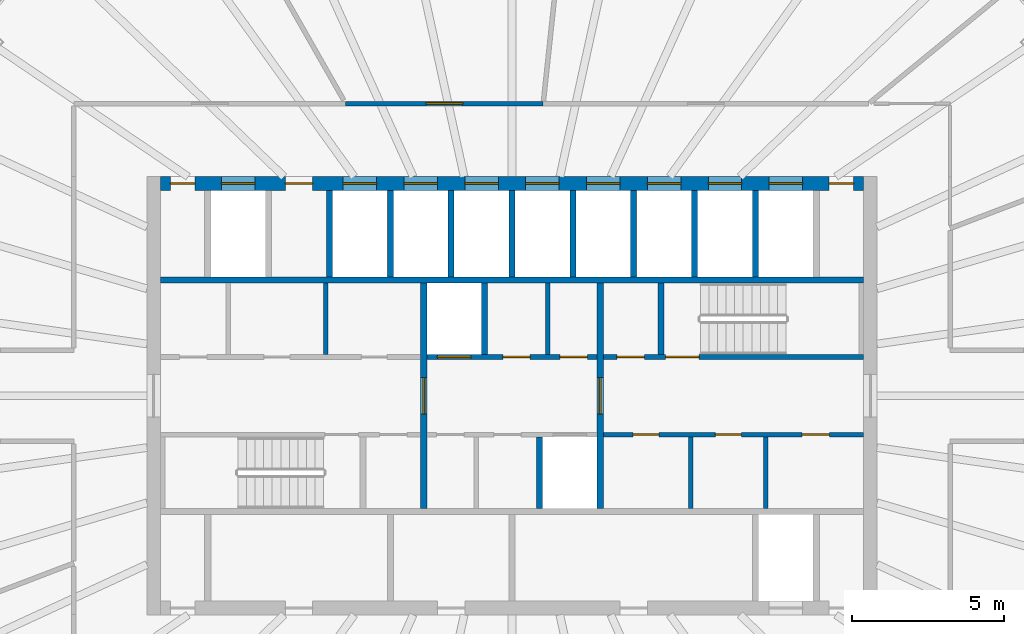
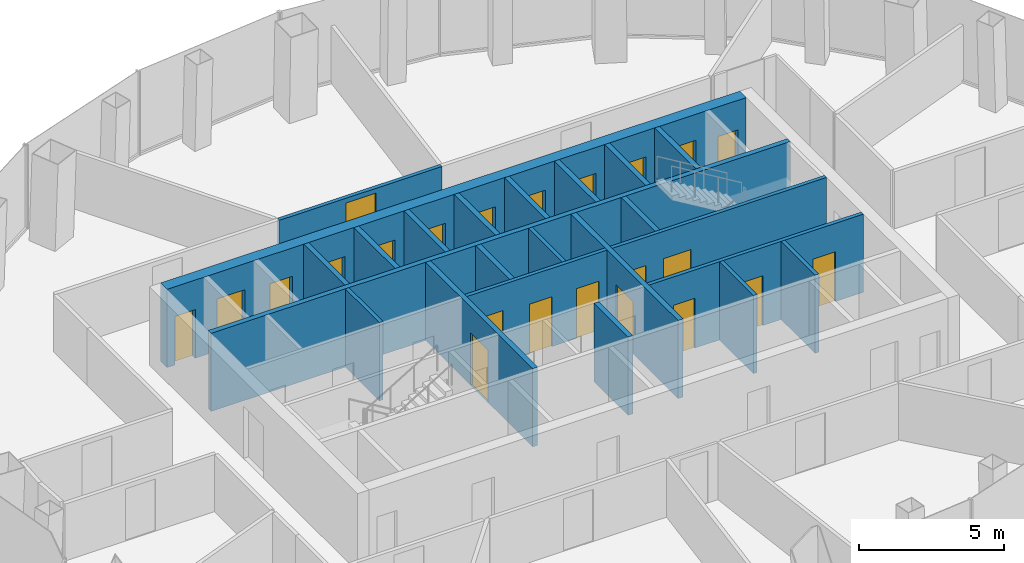
# One storey, part 9 of 11: 23 doors, 23 walls, 23 openings.
"""IFC4 building model written with IfcOpenShell, lengths in metres."""

from ifc_helpers import new_model, si_unit, direction, frame, frame_2d, origin, place, context, subcontext, project, spatial, rectangle, extrude, material, layer, layer_set, type_object, element, fill, save


model = new_model("IFC4")

# Units and contexts
model_context = context("Model", 3, precision=1e-05, world=origin(), true_north=direction((0.0, 1.0)))
body_context = subcontext(model_context, "Body", "Model", "MODEL_VIEW")
ifc_project = project(units=[si_unit("LENGTHUNIT", "METRE"), si_unit("AREAUNIT", "SQUARE_METRE"), si_unit("VOLUMEUNIT", "CUBIC_METRE"), si_unit("PLANEANGLEUNIT", "RADIAN"), si_unit("MASSUNIT", "GRAM", prefix="KILO")], contexts=[model_context])

# Site, building, storey
site_placement = place(None, origin())
site = spatial("IfcSite", under=ifc_project, at=site_placement, CompositionType="ELEMENT")
building_placement = place(site_placement, origin())
building = spatial("IfcBuilding", under=site, at=building_placement, Name="Siaravel Broadcast Tower", CompositionType="ELEMENT")
storey_placement = place(building_placement, frame((0.0, 0.0, 183.0)))
storey = spatial("IfcBuildingStorey", under=building, at=storey_placement, Name="L44", CompositionType="ELEMENT", Elevation=183.0)

# Walls
ifc_material_1 = material(Name="Concrete blockwork", Category="masonry")
ifc_layer_1 = layer(ifc_material_1, 0.14990234375)
ifc_layer_set_1 = layer_set([ifc_layer_1], Name="Concrete blockwork")
wall_type_1 = type_object("IfcWallType", Name="Core partition 150", PredefinedType="PARTITIONING", material=ifc_layer_set_1)
for number, where, z_axis, x_axis, name in (
    (1, (-6.12744140625, 1.35009765625, 0.0), (0.0, 0.0, 1.0), (0.0, 1.0, 0.0), "L44 core partition PNW1"),
    (2, (5.8798828125, -3.699951171875, 0.0), (0.0, 0.0, 1.0), (0.0, 1.0, 0.0), "L44 core partition PSE0"),
    (3, (8.340087890625, -3.699951171875, 0.0), (0.0, 0.0, 1.0), (0.0, 1.0, 0.0), "L44 core partition PSE1"),
    (4, (1.172607421875, 1.35009765625, 0.0), (0.0, 0.0, 1.0), (0.0, 1.0, 0.0), "L44 core partition PNM0"),
):
    element("IfcWall", number, at=place(storey_placement, frame(where, z_axis=z_axis, x_axis=x_axis)), inside=storey, type_object=wall_type_1, Name=name, PredefinedType="PARTITIONING", context=body_context, shape_type="SweptSolid", body=[
        extrude(rectangle(XDim=2.349853515625, YDim=0.14990234375, at=frame_2d((1.1748046875, 0.0))), origin(), (0.0, 0.0, 1.0), 3.300048828125),
    ])

# Wall, openings, doors
ifc_material_2 = material(Name="Concrete C60/75", Category="concrete")
ifc_layer_2 = layer(ifc_material_2, 0.449951171875)
ifc_layer_set_2 = layer_set([ifc_layer_2], Name="Concrete C60/75")
wall_type_2 = type_object("IfcWallType", Name="Core wall 450", PredefinedType="SHEAR", material=ifc_layer_set_2)
wall_1_placement = place(storey_placement, frame((-11.550048828125, 6.97509765625, 0.0), z_axis=(0.0, 0.0, 1.0), x_axis=(1.0, 0.0, 0.0)))
wall_1 = element("IfcWall", 5, at=wall_1_placement, inside=storey, type_object=wall_type_2, Name="L44 core wall ON", PredefinedType="SHEAR", context=body_context, shape_type="SweptSolid", body=[
    extrude(rectangle(XDim=23.10009765625, YDim=0.449951171875, at=frame_2d((11.550048828125, 0.0))), origin(), (0.0, 0.0, 1.0), 3.300048828125),
])
opening_1_placement = place(wall_1_placement, frame((2.0, 0.0, 0.0)))
opening_1 = element("IfcOpeningElement", 6, at=opening_1_placement, cuts=wall_1, Name="Opening LD-SV2-L44", PredefinedType="OPENING", context=body_context, shape_type="SweptSolid", body=[
    extrude(rectangle(XDim=1.10009765625, YDim=2.199951171875, at=frame_2d((0.550048828125, 1.10009765625))), frame((0.0, 0.23486328125, 0.0), z_axis=(0.0, -1.0, 0.0), x_axis=(1.0, 0.0, 0.0)), (0.0, 0.0, 1.0), 0.469970703125),
])
opening_2_placement = place(wall_1_placement, frame((6.0, 0.0, 0.0)))
opening_2 = element("IfcOpeningElement", 7, at=opening_2_placement, cuts=wall_1, Name="Opening LD-HP1-L44", PredefinedType="OPENING", context=body_context, shape_type="SweptSolid", body=[
    extrude(rectangle(XDim=1.10009765625, YDim=2.199951171875, at=frame_2d((0.550048828125, 1.10009765625))), frame((0.0, 0.23486328125, 0.0), z_axis=(0.0, -1.0, 0.0), x_axis=(1.0, 0.0, 0.0)), (0.0, 0.0, 1.0), 0.469970703125),
])
opening_3_placement = place(wall_1_placement, frame((8.0, 0.0, 0.0)))
opening_3 = element("IfcOpeningElement", 8, at=opening_3_placement, cuts=wall_1, Name="Opening LD-HP2-L44", PredefinedType="OPENING", context=body_context, shape_type="SweptSolid", body=[
    extrude(rectangle(XDim=1.10009765625, YDim=2.199951171875, at=frame_2d((0.550048828125, 1.10009765625))), frame((0.0, 0.23486328125, 0.0), z_axis=(0.0, -1.0, 0.0), x_axis=(1.0, 0.0, 0.0)), (0.0, 0.0, 1.0), 0.469970703125),
])
opening_4_placement = place(wall_1_placement, frame((10.0, 0.0, 0.0)))
opening_4 = element("IfcOpeningElement", 9, at=opening_4_placement, cuts=wall_1, Name="Opening LD-HP3-L44", PredefinedType="OPENING", context=body_context, shape_type="SweptSolid", body=[
    extrude(rectangle(XDim=1.10009765625, YDim=2.199951171875, at=frame_2d((0.550048828125, 1.10009765625))), frame((0.0, 0.23486328125, 0.0), z_axis=(0.0, -1.0, 0.0), x_axis=(1.0, 0.0, 0.0)), (0.0, 0.0, 1.0), 0.469970703125),
])
opening_5_placement = place(wall_1_placement, frame((12.0, 0.0, 0.0)))
opening_5 = element("IfcOpeningElement", 10, at=opening_5_placement, cuts=wall_1, Name="Opening LD-HP4-L44", PredefinedType="OPENING", context=body_context, shape_type="SweptSolid", body=[
    extrude(rectangle(XDim=1.10009765625, YDim=2.199951171875, at=frame_2d((0.550048828125, 1.10009765625))), frame((0.0, 0.23486328125, 0.0), z_axis=(0.0, -1.0, 0.0), x_axis=(1.0, 0.0, 0.0)), (0.0, 0.0, 1.0), 0.469970703125),
])
opening_6_placement = place(wall_1_placement, frame((14.0, 0.0, 0.0)))
opening_6 = element("IfcOpeningElement", 11, at=opening_6_placement, cuts=wall_1, Name="Opening LD-HP5-L44", PredefinedType="OPENING", context=body_context, shape_type="SweptSolid", body=[
    extrude(rectangle(XDim=1.10009765625, YDim=2.199951171875, at=frame_2d((0.550048828125, 1.10009765625))), frame((0.0, 0.23486328125, 0.0), z_axis=(0.0, -1.0, 0.0), x_axis=(1.0, 0.0, 0.0)), (0.0, 0.0, 1.0), 0.469970703125),
])
opening_7_placement = place(wall_1_placement, frame((16.0, 0.0, 0.0)))
opening_7 = element("IfcOpeningElement", 12, at=opening_7_placement, cuts=wall_1, Name="Opening LD-HP6-L44", PredefinedType="OPENING", context=body_context, shape_type="SweptSolid", body=[
    extrude(rectangle(XDim=1.10009765625, YDim=2.199951171875, at=frame_2d((0.550048828125, 1.10009765625))), frame((0.0, 0.23486328125, 0.0), z_axis=(0.0, -1.0, 0.0), x_axis=(1.0, 0.0, 0.0)), (0.0, 0.0, 1.0), 0.469970703125),
])
opening_8_placement = place(wall_1_placement, frame((18.0, 0.0, 0.0)))
opening_8 = element("IfcOpeningElement", 13, at=opening_8_placement, cuts=wall_1, Name="Opening LD-HP7-L44", PredefinedType="OPENING", context=body_context, shape_type="SweptSolid", body=[
    extrude(rectangle(XDim=1.10009765625, YDim=2.199951171875, at=frame_2d((0.550048828125, 1.10009765625))), frame((0.0, 0.23486328125, 0.0), z_axis=(0.0, -1.0, 0.0), x_axis=(1.0, 0.0, 0.0)), (0.0, 0.0, 1.0), 0.469970703125),
])
opening_9_placement = place(wall_1_placement, frame((20.0, 0.0, 0.0)))
opening_9 = element("IfcOpeningElement", 14, at=opening_9_placement, cuts=wall_1, Name="Opening LD-HP8-L44", PredefinedType="OPENING", context=body_context, shape_type="SweptSolid", body=[
    extrude(rectangle(XDim=1.10009765625, YDim=2.199951171875, at=frame_2d((0.550048828125, 1.10009765625))), frame((0.0, 0.23486328125, 0.0), z_axis=(0.0, -1.0, 0.0), x_axis=(1.0, 0.0, 0.0)), (0.0, 0.0, 1.0), 0.469970703125),
])
opening_10_placement = place(wall_1_placement, frame((4.10009765625, 0.0, 0.0)))
opening_10 = element("IfcOpeningElement", 15, at=opening_10_placement, cuts=wall_1, Name="Opening L44-DFN1", PredefinedType="OPENING", context=body_context, shape_type="SweptSolid", body=[
    extrude(rectangle(XDim=0.89990234375, YDim=2.10009765625, at=frame_2d((0.449951171875, 1.050048828125))), frame((0.0, 0.23486328125, 0.0), z_axis=(0.0, -1.0, 0.0), x_axis=(1.0, 0.0, 0.0)), (0.0, 0.0, 1.0), 0.469970703125),
])
opening_11_placement = place(wall_1_placement, frame((0.324951171875, 0.0, 0.0)))
opening_11 = element("IfcOpeningElement", 16, at=opening_11_placement, cuts=wall_1, Name="Opening L44-DRNW", PredefinedType="OPENING", context=body_context, shape_type="SweptSolid", body=[
    extrude(rectangle(XDim=0.800048828125, YDim=2.050048828125, at=frame_2d((0.39990234375, 1.02490234375))), frame((0.0, 0.23486328125, 0.0), z_axis=(0.0, -1.0, 0.0), x_axis=(1.0, 0.0, 0.0)), (0.0, 0.0, 1.0), 0.469970703125),
])
opening_12_placement = place(wall_1_placement, frame((21.97509765625, 0.0, 0.0)))
opening_12 = element("IfcOpeningElement", 17, at=opening_12_placement, cuts=wall_1, Name="Opening L44-DRNE", PredefinedType="OPENING", context=body_context, shape_type="SweptSolid", body=[
    extrude(rectangle(XDim=0.800048828125, YDim=2.050048828125, at=frame_2d((0.39990234375, 1.02490234375))), frame((0.0, 0.23486328125, 0.0), z_axis=(0.0, -1.0, 0.0), x_axis=(1.0, 0.0, 0.0)), (0.0, 0.0, 1.0), 0.469970703125),
])
ifc_material_3 = material(Name="Timber veneer", Category="wood")
door_type_1 = type_object("IfcDoorType", Name="Core room door 900", OperationType="SINGLE_SWING_LEFT", PredefinedType="DOOR", material=ifc_material_3)
door_1_placement = place(opening_10_placement, origin())
door_1 = element("IfcDoor", 18, at=door_1_placement, inside=storey, type_object=door_type_1, Name="L44 door DFN1", OperationType="SINGLE_SWING_LEFT", OverallHeight=2.10009765625, OverallWidth=0.89990234375, PredefinedType="DOOR", context=body_context, shape_type="SweptSolid", body=[
    extrude(rectangle(XDim=0.89990234375, YDim=2.10009765625, at=frame_2d((0.449951171875, 1.050048828125))), frame((0.0, 0.02490234375, 0.0), z_axis=(0.0, -1.0, 0.0), x_axis=(1.0, 0.0, 0.0)), (0.0, 0.0, 1.0), 0.050048828125),
])
fill(opening_10, door_1)
ifc_material_4 = material(Name="Stainless steel 316L", Category="steel")
door_type_2 = type_object("IfcDoorType", Name="Lift landing door 1100", OperationType="DOUBLE_DOOR_SLIDING", PredefinedType="DOOR", material=ifc_material_4)
door_2_placement = place(opening_2_placement, origin())
door_2 = element("IfcDoor", 19, at=door_2_placement, inside=storey, type_object=door_type_2, Name="Landing door HP1 L44", OperationType="DOUBLE_DOOR_SLIDING", OverallHeight=2.199951171875, OverallWidth=1.10009765625, PredefinedType="DOOR", context=body_context, shape_type="SweptSolid", body=[
    extrude(rectangle(XDim=1.10009765625, YDim=2.199951171875, at=frame_2d((0.550048828125, 1.10009765625))), frame((0.0, 0.02490234375, 0.0), z_axis=(0.0, -1.0, 0.0), x_axis=(1.0, 0.0, 0.0)), (0.0, 0.0, 1.0), 0.050048828125),
])
fill(opening_2, door_2)
door_3_placement = place(opening_3_placement, origin())
door_3 = element("IfcDoor", 20, at=door_3_placement, inside=storey, type_object=door_type_2, Name="Landing door HP2 L44", OperationType="DOUBLE_DOOR_SLIDING", OverallHeight=2.199951171875, OverallWidth=1.10009765625, PredefinedType="DOOR", context=body_context, shape_type="SweptSolid", body=[
    extrude(rectangle(XDim=1.10009765625, YDim=2.199951171875, at=frame_2d((0.550048828125, 1.10009765625))), frame((0.0, 0.02490234375, 0.0), z_axis=(0.0, -1.0, 0.0), x_axis=(1.0, 0.0, 0.0)), (0.0, 0.0, 1.0), 0.050048828125),
])
fill(opening_3, door_3)
door_4_placement = place(opening_4_placement, origin())
door_4 = element("IfcDoor", 21, at=door_4_placement, inside=storey, type_object=door_type_2, Name="Landing door HP3 L44", OperationType="DOUBLE_DOOR_SLIDING", OverallHeight=2.199951171875, OverallWidth=1.10009765625, PredefinedType="DOOR", context=body_context, shape_type="SweptSolid", body=[
    extrude(rectangle(XDim=1.10009765625, YDim=2.199951171875, at=frame_2d((0.550048828125, 1.10009765625))), frame((0.0, 0.02490234375, 0.0), z_axis=(0.0, -1.0, 0.0), x_axis=(1.0, 0.0, 0.0)), (0.0, 0.0, 1.0), 0.050048828125),
])
fill(opening_4, door_4)
door_5_placement = place(opening_5_placement, origin())
door_5 = element("IfcDoor", 22, at=door_5_placement, inside=storey, type_object=door_type_2, Name="Landing door HP4 L44", OperationType="DOUBLE_DOOR_SLIDING", OverallHeight=2.199951171875, OverallWidth=1.10009765625, PredefinedType="DOOR", context=body_context, shape_type="SweptSolid", body=[
    extrude(rectangle(XDim=1.10009765625, YDim=2.199951171875, at=frame_2d((0.550048828125, 1.10009765625))), frame((0.0, 0.02490234375, 0.0), z_axis=(0.0, -1.0, 0.0), x_axis=(1.0, 0.0, 0.0)), (0.0, 0.0, 1.0), 0.050048828125),
])
fill(opening_5, door_5)
door_6_placement = place(opening_6_placement, origin())
door_6 = element("IfcDoor", 23, at=door_6_placement, inside=storey, type_object=door_type_2, Name="Landing door HP5 L44", OperationType="DOUBLE_DOOR_SLIDING", OverallHeight=2.199951171875, OverallWidth=1.10009765625, PredefinedType="DOOR", context=body_context, shape_type="SweptSolid", body=[
    extrude(rectangle(XDim=1.10009765625, YDim=2.199951171875, at=frame_2d((0.550048828125, 1.10009765625))), frame((0.0, 0.02490234375, 0.0), z_axis=(0.0, -1.0, 0.0), x_axis=(1.0, 0.0, 0.0)), (0.0, 0.0, 1.0), 0.050048828125),
])
fill(opening_6, door_6)
door_7_placement = place(opening_7_placement, origin())
door_7 = element("IfcDoor", 24, at=door_7_placement, inside=storey, type_object=door_type_2, Name="Landing door HP6 L44", OperationType="DOUBLE_DOOR_SLIDING", OverallHeight=2.199951171875, OverallWidth=1.10009765625, PredefinedType="DOOR", context=body_context, shape_type="SweptSolid", body=[
    extrude(rectangle(XDim=1.10009765625, YDim=2.199951171875, at=frame_2d((0.550048828125, 1.10009765625))), frame((0.0, 0.02490234375, 0.0), z_axis=(0.0, -1.0, 0.0), x_axis=(1.0, 0.0, 0.0)), (0.0, 0.0, 1.0), 0.050048828125),
])
fill(opening_7, door_7)
door_8_placement = place(opening_8_placement, origin())
door_8 = element("IfcDoor", 25, at=door_8_placement, inside=storey, type_object=door_type_2, Name="Landing door HP7 L44", OperationType="DOUBLE_DOOR_SLIDING", OverallHeight=2.199951171875, OverallWidth=1.10009765625, PredefinedType="DOOR", context=body_context, shape_type="SweptSolid", body=[
    extrude(rectangle(XDim=1.10009765625, YDim=2.199951171875, at=frame_2d((0.550048828125, 1.10009765625))), frame((0.0, 0.02490234375, 0.0), z_axis=(0.0, -1.0, 0.0), x_axis=(1.0, 0.0, 0.0)), (0.0, 0.0, 1.0), 0.050048828125),
])
fill(opening_8, door_8)
door_9_placement = place(opening_9_placement, origin())
door_9 = element("IfcDoor", 26, at=door_9_placement, inside=storey, type_object=door_type_2, Name="Landing door HP8 L44", OperationType="DOUBLE_DOOR_SLIDING", OverallHeight=2.199951171875, OverallWidth=1.10009765625, PredefinedType="DOOR", context=body_context, shape_type="SweptSolid", body=[
    extrude(rectangle(XDim=1.10009765625, YDim=2.199951171875, at=frame_2d((0.550048828125, 1.10009765625))), frame((0.0, 0.02490234375, 0.0), z_axis=(0.0, -1.0, 0.0), x_axis=(1.0, 0.0, 0.0)), (0.0, 0.0, 1.0), 0.050048828125),
])
fill(opening_9, door_9)
ifc_material_5 = material(Name="Steel", Category="steel")
door_type_3 = type_object("IfcDoorType", Name="Riser door 800", OperationType="SINGLE_SWING_LEFT", PredefinedType="DOOR", material=ifc_material_5)
door_10_placement = place(opening_11_placement, origin())
door_10 = element("IfcDoor", 27, at=door_10_placement, inside=storey, type_object=door_type_3, Name="L44 door DRNW", OperationType="SINGLE_SWING_LEFT", OverallHeight=2.050048828125, OverallWidth=0.800048828125, PredefinedType="DOOR", context=body_context, shape_type="SweptSolid", body=[
    extrude(rectangle(XDim=0.800048828125, YDim=2.050048828125, at=frame_2d((0.39990234375, 1.02490234375))), frame((0.0, 0.02490234375, 0.0), z_axis=(0.0, -1.0, 0.0), x_axis=(1.0, 0.0, 0.0)), (0.0, 0.0, 1.0), 0.050048828125),
])
fill(opening_11, door_10)
door_11_placement = place(opening_12_placement, origin())
door_11 = element("IfcDoor", 28, at=door_11_placement, inside=storey, type_object=door_type_3, Name="L44 door DRNE", OperationType="SINGLE_SWING_LEFT", OverallHeight=2.050048828125, OverallWidth=0.800048828125, PredefinedType="DOOR", context=body_context, shape_type="SweptSolid", body=[
    extrude(rectangle(XDim=0.800048828125, YDim=2.050048828125, at=frame_2d((0.39990234375, 1.02490234375))), frame((0.0, 0.02490234375, 0.0), z_axis=(0.0, -1.0, 0.0), x_axis=(1.0, 0.0, 0.0)), (0.0, 0.0, 1.0), 0.050048828125),
])
fill(opening_12, door_11)
door_type_4 = type_object("IfcDoorType", Name="Service lift landing door 1100", OperationType="DOUBLE_DOOR_SLIDING", PredefinedType="DOOR", material=ifc_material_4)
door_12_placement = place(opening_1_placement, origin())
door_12 = element("IfcDoor", 29, at=door_12_placement, inside=storey, type_object=door_type_4, Name="Landing door SV2 L44", OperationType="DOUBLE_DOOR_SLIDING", OverallHeight=2.199951171875, OverallWidth=1.10009765625, PredefinedType="DOOR", context=body_context, shape_type="SweptSolid", body=[
    extrude(rectangle(XDim=1.10009765625, YDim=2.199951171875, at=frame_2d((0.550048828125, 1.10009765625))), frame((0.0, 0.02490234375, 0.0), z_axis=(0.0, -1.0, 0.0), x_axis=(1.0, 0.0, 0.0)), (0.0, 0.0, 1.0), 0.050048828125),
])
fill(opening_1, door_12)

ifc_material_6 = material(Name="Gypsum board partition", Category="gypsum")
ifc_layer_3 = layer(ifc_material_6, 0.14990234375)
ifc_layer_set_3 = layer_set([ifc_layer_3], Name="Gypsum board partition")
wall_type_3 = type_object("IfcWallType", Name="Corridor wall 150", PredefinedType="PARTITIONING", material=ifc_layer_set_3)
wall_2_placement = place(storey_placement, frame((3.0, -1.27490234375, 0.0), z_axis=(0.0, 0.0, 1.0), x_axis=(1.0, 0.0, 0.0)))
wall_2 = element("IfcWall", 30, at=wall_2_placement, inside=storey, type_object=wall_type_3, Name="L44 core partition CSE", PredefinedType="PARTITIONING", context=body_context, shape_type="SweptSolid", body=[
    extrude(rectangle(XDim=8.550048828125, YDim=0.14990234375, at=frame_2d((4.27490234375, 0.0))), origin(), (0.0, 0.0, 1.0), 3.300048828125),
])
opening_13_placement = place(wall_2_placement, frame((0.9775390625, 0.0, 0.0)))
opening_13 = element("IfcOpeningElement", 31, at=opening_13_placement, cuts=wall_2, Name="Opening L44-DSE0", PredefinedType="OPENING", context=body_context, shape_type="SweptSolid", body=[
    extrude(rectangle(XDim=0.85009765625, YDim=2.10009765625, at=frame_2d((0.425048828125, 1.050048828125))), frame((0.0, 0.0849609375, 0.0), z_axis=(0.0, -1.0, 0.0), x_axis=(1.0, 0.0, 0.0)), (0.0, 0.0, 1.0), 0.169921875),
])
opening_14_placement = place(wall_2_placement, frame((3.68505859375, 0.0, 0.0)))
opening_14 = element("IfcOpeningElement", 32, at=opening_14_placement, cuts=wall_2, Name="Opening L44-DSE1", PredefinedType="OPENING", context=body_context, shape_type="SweptSolid", body=[
    extrude(rectangle(XDim=0.85009765625, YDim=2.10009765625, at=frame_2d((0.425048828125, 1.050048828125))), frame((0.0, 0.0849609375, 0.0), z_axis=(0.0, -1.0, 0.0), x_axis=(1.0, 0.0, 0.0)), (0.0, 0.0, 1.0), 0.169921875),
])
opening_15_placement = place(wall_2_placement, frame((6.532470703125, 0.0, 0.0)))
opening_15 = element("IfcOpeningElement", 33, at=opening_15_placement, cuts=wall_2, Name="Opening L44-DSE2", PredefinedType="OPENING", context=body_context, shape_type="SweptSolid", body=[
    extrude(rectangle(XDim=0.89990234375, YDim=2.10009765625, at=frame_2d((0.449951171875, 1.050048828125))), frame((0.0, 0.0849609375, 0.0), z_axis=(0.0, -1.0, 0.0), x_axis=(1.0, 0.0, 0.0)), (0.0, 0.0, 1.0), 0.169921875),
])
door_13_placement = place(opening_15_placement, origin())
door_13 = element("IfcDoor", 34, at=door_13_placement, inside=storey, type_object=door_type_1, Name="L44 door DSE2", OperationType="SINGLE_SWING_LEFT", OverallHeight=2.10009765625, OverallWidth=0.89990234375, PredefinedType="DOOR", context=body_context, shape_type="SweptSolid", body=[
    extrude(rectangle(XDim=0.89990234375, YDim=2.10009765625, at=frame_2d((0.449951171875, 1.050048828125))), frame((0.0, 0.02490234375, 0.0), z_axis=(0.0, -1.0, 0.0), x_axis=(1.0, 0.0, 0.0)), (0.0, 0.0, 1.0), 0.050048828125),
])
fill(opening_15, door_13)
door_type_5 = type_object("IfcDoorType", Name="Core toilet door 850", OperationType="SINGLE_SWING_LEFT", PredefinedType="DOOR", material=ifc_material_3)
door_14_placement = place(opening_13_placement, origin())
door_14 = element("IfcDoor", 35, at=door_14_placement, inside=storey, type_object=door_type_5, Name="L44 door DSE0", OperationType="SINGLE_SWING_LEFT", OverallHeight=2.10009765625, OverallWidth=0.85009765625, PredefinedType="DOOR", context=body_context, shape_type="SweptSolid", body=[
    extrude(rectangle(XDim=0.85009765625, YDim=2.10009765625, at=frame_2d((0.425048828125, 1.050048828125))), frame((0.0, 0.02490234375, 0.0), z_axis=(0.0, -1.0, 0.0), x_axis=(1.0, 0.0, 0.0)), (0.0, 0.0, 1.0), 0.050048828125),
])
fill(opening_13, door_14)
door_15_placement = place(opening_14_placement, origin())
door_15 = element("IfcDoor", 36, at=door_15_placement, inside=storey, type_object=door_type_5, Name="L44 door DSE1", OperationType="SINGLE_SWING_LEFT", OverallHeight=2.10009765625, OverallWidth=0.85009765625, PredefinedType="DOOR", context=body_context, shape_type="SweptSolid", body=[
    extrude(rectangle(XDim=0.85009765625, YDim=2.10009765625, at=frame_2d((0.425048828125, 1.050048828125))), frame((0.0, 0.02490234375, 0.0), z_axis=(0.0, -1.0, 0.0), x_axis=(1.0, 0.0, 0.0)), (0.0, 0.0, 1.0), 0.050048828125),
])
fill(opening_14, door_15)

# Wall, opening, door
wall_3_placement = place(storey_placement, frame((1.025390625, 9.60009765625, 0.0), z_axis=(0.0, 0.0, 1.0), x_axis=(-1.0, 0.0, 0.0)))
wall_3 = element("IfcWall", 37, at=wall_3_placement, inside=storey, type_object=wall_type_3, Name="L44 partition 13", PredefinedType="PARTITIONING", context=body_context, shape_type="SweptSolid", body=[
    extrude(rectangle(XDim=6.490478515625, YDim=0.14990234375, at=frame_2d((3.2451171875, 0.0))), origin(), (0.0, 0.0, 1.0), 2.39990234375),
])
opening_16_placement = place(wall_3_placement, frame((2.645263671875, 0.0, 0.0)))
opening_16 = element("IfcOpeningElement", 38, at=opening_16_placement, cuts=wall_3, Name="Opening L44-007", PredefinedType="OPENING", context=body_context, shape_type="SweptSolid", body=[
    extrude(rectangle(XDim=1.199951171875, YDim=2.199951171875, at=frame_2d((0.60009765625, 1.10009765625))), frame((0.0, 0.0849609375, 0.0), z_axis=(0.0, -1.0, 0.0), x_axis=(1.0, 0.0, 0.0)), (0.0, 0.0, 1.0), 0.169921875),
])
door_type_6 = type_object("IfcDoorType", Name="Office double door 1200", OperationType="DOUBLE_DOOR_SINGLE_SWING", PredefinedType="DOOR", material=ifc_material_3)
door_16_placement = place(opening_16_placement, origin())
door_16 = element("IfcDoor", 39, at=door_16_placement, inside=storey, type_object=door_type_6, Name="L44 door to Open plan office", OperationType="DOUBLE_DOOR_SINGLE_SWING", OverallHeight=2.199951171875, OverallWidth=1.199951171875, PredefinedType="DOOR", context=body_context, shape_type="SweptSolid", body=[
    extrude(rectangle(XDim=1.199951171875, YDim=2.199951171875, at=frame_2d((0.60009765625, 1.10009765625))), frame((0.0, 0.02490234375, 0.0), z_axis=(0.0, -1.0, 0.0), x_axis=(1.0, 0.0, 0.0)), (0.0, 0.0, 1.0), 0.050048828125),
])
fill(opening_16, door_16)

# Wall, openings, doors
ifc_layer_4 = layer(ifc_material_2, 0.14990234375)
ifc_layer_set_4 = layer_set([ifc_layer_4], Name="Concrete C60/75")
wall_type_4 = type_object("IfcWallType", Name="Shaft wall 150", PredefinedType="SHEAR", material=ifc_layer_set_4)
wall_4_placement = place(storey_placement, frame((-2.800048828125, 1.27490234375, 0.0), z_axis=(0.0, 0.0, 1.0), x_axis=(1.0, 0.0, 0.0)))
wall_4 = element("IfcWall", 40, at=wall_4_placement, inside=storey, type_object=wall_type_4, Name="L44 core wall CNM", PredefinedType="SHEAR", context=body_context, shape_type="SweptSolid", body=[
    extrude(rectangle(XDim=5.60009765625, YDim=0.14990234375, at=frame_2d((2.800048828125, 0.0))), origin(), (0.0, 0.0, 1.0), 3.300048828125),
])
opening_17_placement = place(wall_4_placement, frame((0.35009765625, 0.0, 0.0)))
opening_17 = element("IfcOpeningElement", 41, at=opening_17_placement, cuts=wall_4, Name="Opening LD-FL1-L44", PredefinedType="OPENING", context=body_context, shape_type="SweptSolid", body=[
    extrude(rectangle(XDim=1.10009765625, YDim=2.199951171875, at=frame_2d((0.550048828125, 1.10009765625))), frame((0.0, 0.0849609375, 0.0), z_axis=(0.0, -1.0, 0.0), x_axis=(1.0, 0.0, 0.0)), (0.0, 0.0, 1.0), 0.169921875),
])
opening_18_placement = place(wall_4_placement, frame((2.498779296875, 0.0, 0.0)))
opening_18 = element("IfcOpeningElement", 42, at=opening_18_placement, cuts=wall_4, Name="Opening L44-DNM0", PredefinedType="OPENING", context=body_context, shape_type="SweptSolid", body=[
    extrude(rectangle(XDim=0.89990234375, YDim=2.10009765625, at=frame_2d((0.449951171875, 1.050048828125))), frame((0.0, 0.0849609375, 0.0), z_axis=(0.0, -1.0, 0.0), x_axis=(1.0, 0.0, 0.0)), (0.0, 0.0, 1.0), 0.169921875),
])
opening_19_placement = place(wall_4_placement, frame((4.373779296875, 0.0, 0.0)))
opening_19 = element("IfcOpeningElement", 43, at=opening_19_placement, cuts=wall_4, Name="Opening L44-DNM1", PredefinedType="OPENING", context=body_context, shape_type="SweptSolid", body=[
    extrude(rectangle(XDim=0.89990234375, YDim=2.10009765625, at=frame_2d((0.449951171875, 1.050048828125))), frame((0.0, 0.0849609375, 0.0), z_axis=(0.0, -1.0, 0.0), x_axis=(1.0, 0.0, 0.0)), (0.0, 0.0, 1.0), 0.169921875),
])
door_17_placement = place(opening_18_placement, origin())
door_17 = element("IfcDoor", 44, at=door_17_placement, inside=storey, type_object=door_type_1, Name="L44 door DNM0", OperationType="SINGLE_SWING_LEFT", OverallHeight=2.10009765625, OverallWidth=0.89990234375, PredefinedType="DOOR", context=body_context, shape_type="SweptSolid", body=[
    extrude(rectangle(XDim=0.89990234375, YDim=2.10009765625, at=frame_2d((0.449951171875, 1.050048828125))), frame((0.0, 0.02490234375, 0.0), z_axis=(0.0, -1.0, 0.0), x_axis=(1.0, 0.0, 0.0)), (0.0, 0.0, 1.0), 0.050048828125),
])
fill(opening_18, door_17)
door_18_placement = place(opening_19_placement, origin())
door_18 = element("IfcDoor", 45, at=door_18_placement, inside=storey, type_object=door_type_1, Name="L44 door DNM1", OperationType="SINGLE_SWING_LEFT", OverallHeight=2.10009765625, OverallWidth=0.89990234375, PredefinedType="DOOR", context=body_context, shape_type="SweptSolid", body=[
    extrude(rectangle(XDim=0.89990234375, YDim=2.10009765625, at=frame_2d((0.449951171875, 1.050048828125))), frame((0.0, 0.02490234375, 0.0), z_axis=(0.0, -1.0, 0.0), x_axis=(1.0, 0.0, 0.0)), (0.0, 0.0, 1.0), 0.050048828125),
])
fill(opening_19, door_18)
door_type_7 = type_object("IfcDoorType", Name="Firefighting lift landing door 1100", OperationType="DOUBLE_DOOR_SLIDING", PredefinedType="DOOR", material=ifc_material_4)
door_19_placement = place(opening_17_placement, origin())
door_19 = element("IfcDoor", 46, at=door_19_placement, inside=storey, type_object=door_type_7, Name="Landing door FL1 L44", OperationType="DOUBLE_DOOR_SLIDING", OverallHeight=2.199951171875, OverallWidth=1.10009765625, PredefinedType="DOOR", context=body_context, shape_type="SweptSolid", body=[
    extrude(rectangle(XDim=1.10009765625, YDim=2.199951171875, at=frame_2d((0.550048828125, 1.10009765625))), frame((0.0, 0.02490234375, 0.0), z_axis=(0.0, -1.0, 0.0), x_axis=(1.0, 0.0, 0.0)), (0.0, 0.0, 1.0), 0.050048828125),
])
fill(opening_17, door_19)

wall_5_placement = place(storey_placement, frame((3.0, 1.27490234375, 0.0), z_axis=(0.0, 0.0, 1.0), x_axis=(1.0, 0.0, 0.0)))
wall_5 = element("IfcWall", 47, at=wall_5_placement, inside=storey, type_object=wall_type_4, Name="L44 core wall CNE", PredefinedType="SHEAR", context=body_context, shape_type="SweptSolid", body=[
    extrude(rectangle(XDim=8.550048828125, YDim=0.14990234375, at=frame_2d((4.27490234375, 0.0))), origin(), (0.0, 0.0, 1.0), 3.300048828125),
])
opening_20_placement = place(wall_5_placement, frame((2.050048828125, 0.0, 0.0)))
opening_20 = element("IfcOpeningElement", 48, at=opening_20_placement, cuts=wall_5, Name="Opening L44-DS-2", PredefinedType="OPENING", context=body_context, shape_type="SweptSolid", body=[
    extrude(rectangle(XDim=1.10009765625, YDim=2.14990234375, at=frame_2d((0.550048828125, 1.074951171875))), frame((0.0, 0.0849609375, 0.0), z_axis=(0.0, -1.0, 0.0), x_axis=(1.0, 0.0, 0.0)), (0.0, 0.0, 1.0), 0.169921875),
])
opening_21_placement = place(wall_5_placement, frame((0.449951171875, 0.0, 0.0)))
opening_21 = element("IfcOpeningElement", 49, at=opening_21_placement, cuts=wall_5, Name="Opening L44-DNE0", PredefinedType="OPENING", context=body_context, shape_type="SweptSolid", body=[
    extrude(rectangle(XDim=0.89990234375, YDim=2.10009765625, at=frame_2d((0.449951171875, 1.050048828125))), frame((0.0, 0.0849609375, 0.0), z_axis=(0.0, -1.0, 0.0), x_axis=(1.0, 0.0, 0.0)), (0.0, 0.0, 1.0), 0.169921875),
])
door_20_placement = place(opening_21_placement, origin())
door_20 = element("IfcDoor", 50, at=door_20_placement, inside=storey, type_object=door_type_1, Name="L44 door DNE0", OperationType="SINGLE_SWING_LEFT", OverallHeight=2.10009765625, OverallWidth=0.89990234375, PredefinedType="DOOR", context=body_context, shape_type="SweptSolid", body=[
    extrude(rectangle(XDim=0.89990234375, YDim=2.10009765625, at=frame_2d((0.449951171875, 1.050048828125))), frame((0.0, 0.02490234375, 0.0), z_axis=(0.0, -1.0, 0.0), x_axis=(1.0, 0.0, 0.0)), (0.0, 0.0, 1.0), 0.050048828125),
])
fill(opening_21, door_20)
door_type_8 = type_object("IfcDoorType", Name="Stair door 1100", OperationType="SINGLE_SWING_LEFT", PredefinedType="DOOR", material=ifc_material_5)
door_21_placement = place(opening_20_placement, origin())
door_21 = element("IfcDoor", 51, at=door_21_placement, inside=storey, type_object=door_type_8, Name="L44 door DS-2", OperationType="SINGLE_SWING_LEFT", OverallHeight=2.14990234375, OverallWidth=1.10009765625, PredefinedType="DOOR", context=body_context, shape_type="SweptSolid", body=[
    extrude(rectangle(XDim=1.10009765625, YDim=2.14990234375, at=frame_2d((0.550048828125, 1.074951171875))), frame((0.0, 0.02490234375, 0.0), z_axis=(0.0, -1.0, 0.0), x_axis=(1.0, 0.0, 0.0)), (0.0, 0.0, 1.0), 0.050048828125),
])
fill(opening_20, door_21)

# Walls
ifc_layer_5 = layer(ifc_material_2, 0.199951171875)
ifc_layer_set_5 = layer_set([ifc_layer_5], Name="Concrete C60/75")
wall_type_5 = type_object("IfcWallType", Name="Shaft wall 200", PredefinedType="SHEAR", material=ifc_layer_set_5)
wall_6_placement = place(storey_placement, frame((-11.550048828125, 3.800048828125, 0.0), z_axis=(0.0, 0.0, 1.0), x_axis=(1.0, 0.0, 0.0)))
element("IfcWall", 52, at=wall_6_placement, inside=storey, type_object=wall_type_5, Name="L44 core wall BN", PredefinedType="SHEAR", context=body_context, shape_type="SweptSolid", body=[
    extrude(rectangle(XDim=23.10009765625, YDim=0.199951171875, at=frame_2d((11.550048828125, 0.0))), origin(), (0.0, 0.0, 1.0), 3.300048828125),
])
for number, where, z_axis, x_axis, name in (
    (53, (-6.0, 3.89990234375, 0.0), (0.0, 0.0, 1.0), (0.0, 1.0, 0.0), "L44 core wall SWN2"),
    (54, (-4.0, 3.89990234375, 0.0), (0.0, 0.0, 1.0), (0.0, 1.0, 0.0), "L44 core wall SWN3"),
    (55, (-2.0, 3.89990234375, 0.0), (0.0, 0.0, 1.0), (0.0, 1.0, 0.0), "L44 core wall SWN4"),
    (56, (0.0, 3.89990234375, 0.0), (0.0, 0.0, 1.0), (0.0, 1.0, 0.0), "L44 core wall SWN5"),
    (57, (2.0, 3.89990234375, 0.0), (0.0, 0.0, 1.0), (0.0, 1.0, 0.0), "L44 core wall SWN6"),
    (58, (4.0, 3.89990234375, 0.0), (0.0, 0.0, 1.0), (0.0, 1.0, 0.0), "L44 core wall SWN7"),
    (59, (6.0, 3.89990234375, 0.0), (0.0, 0.0, 1.0), (0.0, 1.0, 0.0), "L44 core wall SWN8"),
    (60, (8.0, 3.89990234375, 0.0), (0.0, 0.0, 1.0), (0.0, 1.0, 0.0), "L44 core wall SWN9"),
):
    element("IfcWall", number, at=place(storey_placement, frame(where, z_axis=z_axis, x_axis=x_axis)), inside=storey, type_object=wall_type_5, Name=name, PredefinedType="SHEAR", context=body_context, shape_type="SweptSolid", body=[
        extrude(rectangle(XDim=2.85009765625, YDim=0.199951171875, at=frame_2d((1.425048828125, 0.0))), origin(), (0.0, 0.0, 1.0), 3.300048828125),
    ])

# Wall, opening, door
wall_7_placement = place(storey_placement, frame((-2.89990234375, -3.699951171875, 0.0), z_axis=(0.0, 0.0, 1.0), x_axis=(0.0, 1.0, 0.0)))
wall_7 = element("IfcWall", 61, at=wall_7_placement, inside=storey, type_object=wall_type_5, Name="L44 core wall LW", PredefinedType="SHEAR", context=body_context, shape_type="SweptSolid", body=[
    extrude(rectangle(XDim=7.39990234375, YDim=0.199951171875, at=frame_2d((3.699951171875, 0.0))), origin(), (0.0, 0.0, 1.0), 3.300048828125),
])
opening_22_placement = place(wall_7_placement, frame((3.10009765625, 0.0, 0.0)))
opening_22 = element("IfcOpeningElement", 62, at=opening_22_placement, cuts=wall_7, Name="Opening L44-DL-W", PredefinedType="OPENING", context=body_context, shape_type="SweptSolid", body=[
    extrude(rectangle(XDim=1.199951171875, YDim=2.199951171875, at=frame_2d((0.60009765625, 1.10009765625))), frame((0.0, 0.10986328125, 0.0), z_axis=(0.0, -1.0, 0.0), x_axis=(1.0, 0.0, 0.0)), (0.0, 0.0, 1.0), 0.219970703125),
])
door_type_9 = type_object("IfcDoorType", Name="Firefighting lobby door 1200", OperationType="SINGLE_SWING_LEFT", PredefinedType="DOOR", material=ifc_material_5)
door_22_placement = place(opening_22_placement, origin())
door_22 = element("IfcDoor", 63, at=door_22_placement, inside=storey, type_object=door_type_9, Name="L44 door DL-W", OperationType="SINGLE_SWING_LEFT", OverallHeight=2.199951171875, OverallWidth=1.199951171875, PredefinedType="DOOR", context=body_context, shape_type="SweptSolid", body=[
    extrude(rectangle(XDim=1.199951171875, YDim=2.199951171875, at=frame_2d((0.60009765625, 1.10009765625))), frame((0.0, 0.02490234375, 0.0), z_axis=(0.0, -1.0, 0.0), x_axis=(1.0, 0.0, 0.0)), (0.0, 0.0, 1.0), 0.050048828125),
])
fill(opening_22, door_22)

wall_8_placement = place(storey_placement, frame((2.89990234375, -3.699951171875, 0.0), z_axis=(0.0, 0.0, 1.0), x_axis=(0.0, 1.0, 0.0)))
wall_8 = element("IfcWall", 64, at=wall_8_placement, inside=storey, type_object=wall_type_5, Name="L44 core wall LE", PredefinedType="SHEAR", context=body_context, shape_type="SweptSolid", body=[
    extrude(rectangle(XDim=7.39990234375, YDim=0.199951171875, at=frame_2d((3.699951171875, 0.0))), origin(), (0.0, 0.0, 1.0), 3.300048828125),
])
opening_23_placement = place(wall_8_placement, frame((3.10009765625, 0.0, 0.0)))
opening_23 = element("IfcOpeningElement", 65, at=opening_23_placement, cuts=wall_8, Name="Opening L44-DL-E", PredefinedType="OPENING", context=body_context, shape_type="SweptSolid", body=[
    extrude(rectangle(XDim=1.199951171875, YDim=2.199951171875, at=frame_2d((0.60009765625, 1.10009765625))), frame((0.0, 0.10986328125, 0.0), z_axis=(0.0, -1.0, 0.0), x_axis=(1.0, 0.0, 0.0)), (0.0, 0.0, 1.0), 0.219970703125),
])
door_23_placement = place(opening_23_placement, origin())
door_23 = element("IfcDoor", 66, at=door_23_placement, inside=storey, type_object=door_type_9, Name="L44 door DL-E", OperationType="SINGLE_SWING_LEFT", OverallHeight=2.199951171875, OverallWidth=1.199951171875, PredefinedType="DOOR", context=body_context, shape_type="SweptSolid", body=[
    extrude(rectangle(XDim=1.199951171875, YDim=2.199951171875, at=frame_2d((0.60009765625, 1.10009765625))), frame((0.0, 0.02490234375, 0.0), z_axis=(0.0, -1.0, 0.0), x_axis=(1.0, 0.0, 0.0)), (0.0, 0.0, 1.0), 0.050048828125),
])
fill(opening_23, door_23)

# Walls
for number, where, z_axis, x_axis, name in (
    (67, (-0.89990234375, 1.35009765625, 0.0), (0.0, 0.0, 1.0), (0.0, 1.0, 0.0), "L44 core wall FF1E"),
    (68, (0.89990234375, -3.699951171875, 0.0), (0.0, 0.0, 1.0), (0.0, 1.0, 0.0), "L44 core wall FF2W"),
    (69, (4.89990234375, 1.35009765625, 0.0), (0.0, 0.0, 1.0), (0.0, 1.0, 0.0), "L44 core wall ST2W"),
):
    element("IfcWall", number, at=place(storey_placement, frame(where, z_axis=z_axis, x_axis=x_axis)), inside=storey, type_object=wall_type_5, Name=name, PredefinedType="SHEAR", context=body_context, shape_type="SweptSolid", body=[
        extrude(rectangle(XDim=2.349853515625, YDim=0.199951171875, at=frame_2d((1.1748046875, 0.0))), origin(), (0.0, 0.0, 1.0), 3.300048828125),
    ])

save(model, "model.ifc")
